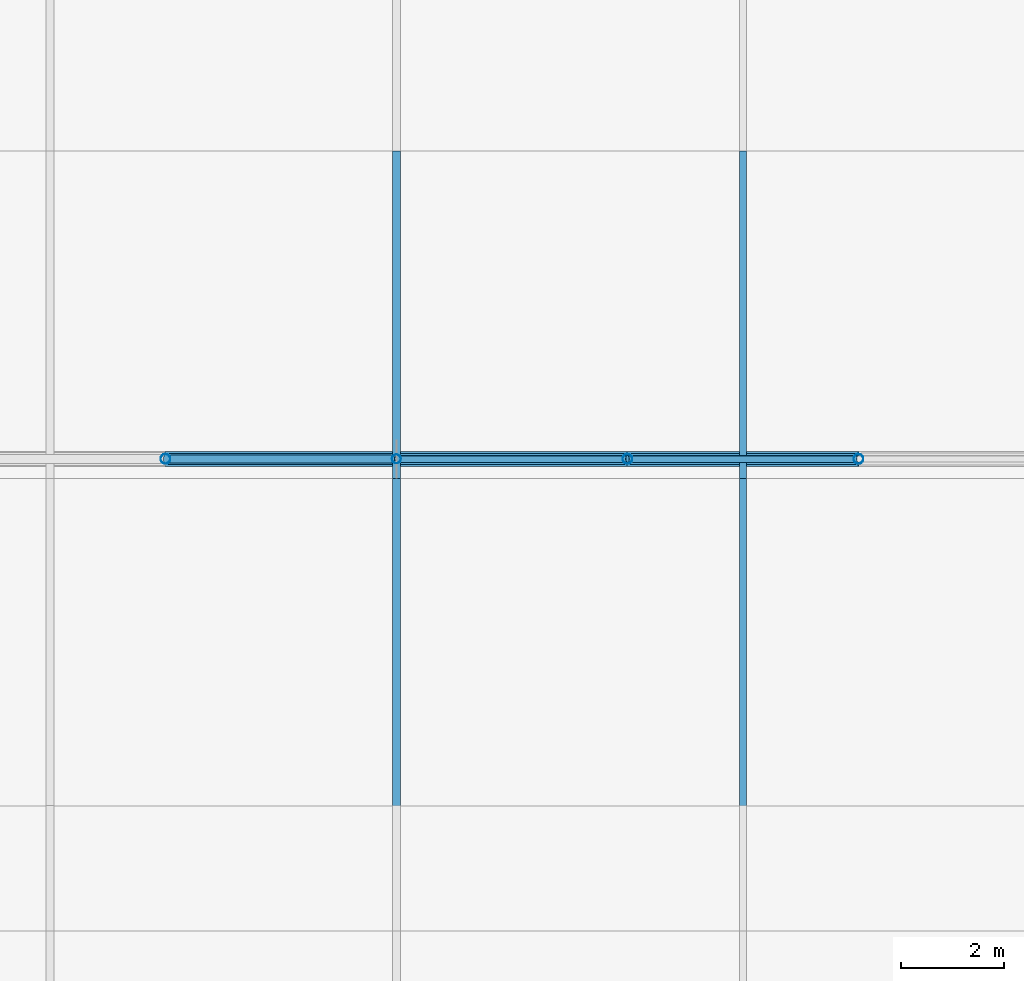
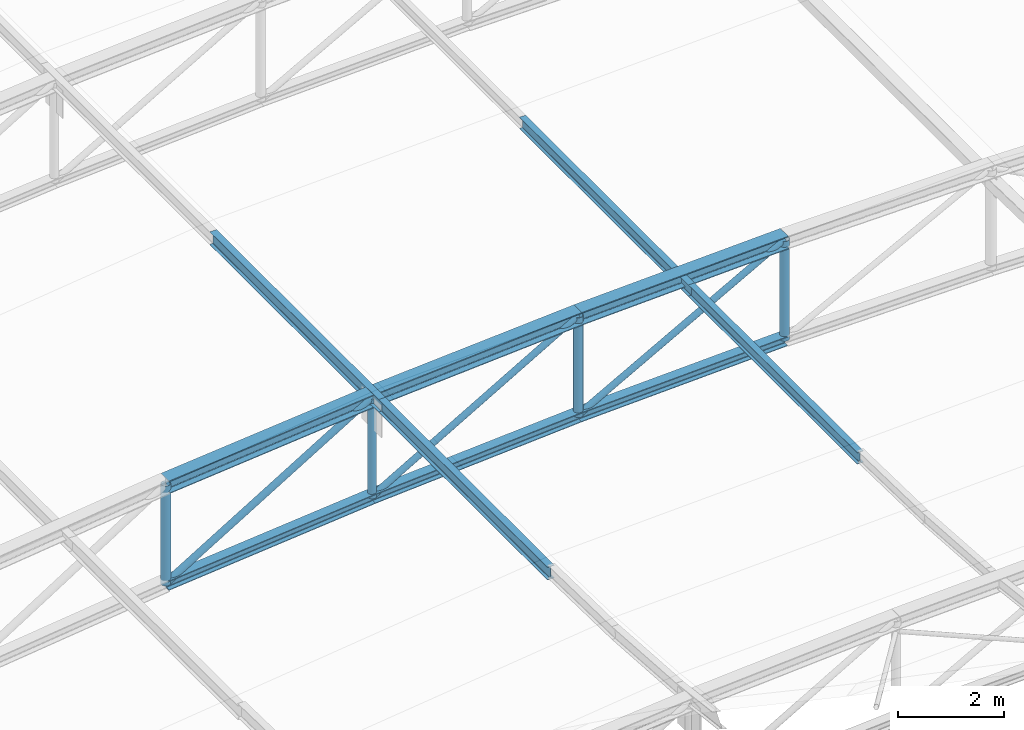
# One storey, part 88 of 262: 17 members.
"""IFC4 building model written with IfcOpenShell, lengths in metres."""

from ifc_helpers import new_model, si_unit, derived_unit, direction, frame, origin, origin_2d, place, context, subcontext, project, spatial, hollow_circle, i_section, extrude, material, material_profile, profile_set, type_object, element, save


model = new_model("IFC4")

# Units and contexts
model_context = context("Model", 3, precision=1e-05, world=origin(), true_north=direction((0.0, 1.0)))
body_context = subcontext(model_context, "Body", "Model", "MODEL_VIEW")
ifc_project = project(units=[si_unit("LENGTHUNIT", "METRE"), si_unit("AREAUNIT", "SQUARE_METRE"), si_unit("VOLUMEUNIT", "CUBIC_METRE"), si_unit("PLANEANGLEUNIT", "RADIAN"), si_unit("MASSUNIT", "GRAM", prefix="KILO"), derived_unit("THERMALTRANSMITTANCEUNIT", [(si_unit("POWERUNIT", "WATT"), 1), (si_unit("LENGTHUNIT", "METRE"), -2), (si_unit("THERMODYNAMICTEMPERATUREUNIT", "KELVIN"), -1)])], contexts=[model_context])

# Site, building, storey
site_placement = place(None, origin())
site = spatial("IfcSite", under=ifc_project, at=site_placement, CompositionType="ELEMENT")
building_placement = place(site_placement, origin())
building = spatial("IfcBuilding", under=site, at=building_placement, Name="Almenara Railside Exhibition Hall", CompositionType="ELEMENT")
storey_placement = place(building_placement, frame((0.0, 0.0, 21.699951171875)))
storey = spatial("IfcBuildingStorey", under=building, at=storey_placement, Name="RF", CompositionType="ELEMENT", Elevation=21.699951171875)

# Members
ifc_material = material(Name="Structural steel S355JR", Category="steel")
ifc_material_profile_1 = material_profile(ifc_material, i_section(OverallWidth=0.300048828125, OverallDepth=0.300048828125, WebThickness=0.010986328125, FlangeThickness=0.01904296875, FilletRadius=0.027099609375, at=origin_2d()), Name="HEB 300")
ifc_profile_set_1 = profile_set([ifc_material_profile_1], Name="Structural steel S355JR")
member_type_1 = type_object("IfcMemberType", Name="Arched Inner Top Chord HEB 300 S355JR", PredefinedType="CHORD", material=ifc_profile_set_1)
member_1_placement = place(storey_placement, frame((21.0, 84.0, 1.122314453125), z_axis=(0.995512933083, 0.0, 0.094625578275), x_axis=(0.0, 1.0, 0.0)))
element("IfcMember", 1, at=member_1_placement, inside=storey, type_object=member_type_1, Name="MEM-TC-V1-03-02", PredefinedType="CHORD", context=body_context, shape_type="SweptSolid", body=[
    extrude(i_section(OverallWidth=0.300048828125, OverallDepth=0.300048828125, WebThickness=0.010986328125, FlangeThickness=0.01904296875, FilletRadius=0.027099609375, at=origin_2d()), origin(), (0.0, 0.0, 1.0), 4.520263671875),
])
member_2_placement = place(storey_placement, frame((25.5, 84.0, 1.550048828125), z_axis=(0.997701025897, 0.0, 0.067769188608), x_axis=(0.0, 1.0, 0.0)))
element("IfcMember", 2, at=member_2_placement, inside=storey, type_object=member_type_1, Name="MEM-TC-V1-03-03", PredefinedType="CHORD", context=body_context, shape_type="SweptSolid", body=[
    extrude(i_section(OverallWidth=0.300048828125, OverallDepth=0.300048828125, WebThickness=0.010986328125, FlangeThickness=0.01904296875, FilletRadius=0.027099609375, at=origin_2d()), origin(), (0.0, 0.0, 1.0), 4.51025390625),
])
member_3_placement = place(storey_placement, frame((30.0, 84.0, 1.855712890625), z_axis=(0.999173184279, 0.0, 0.040656460949), x_axis=(0.0, 1.0, 0.0)))
element("IfcMember", 3, at=member_3_placement, inside=storey, type_object=member_type_1, Name="MEM-TC-V1-03-04", PredefinedType="CHORD", context=body_context, shape_type="SweptSolid", body=[
    extrude(i_section(OverallWidth=0.300048828125, OverallDepth=0.300048828125, WebThickness=0.010986328125, FlangeThickness=0.01904296875, FilletRadius=0.027099609375, at=origin_2d()), origin(), (0.0, 0.0, 1.0), 4.503662109375),
])
ifc_material_profile_2 = material_profile(ifc_material, i_section(OverallWidth=0.14990234375, OverallDepth=0.300048828125, WebThickness=0.007080078125, FlangeThickness=0.0107421875, FilletRadius=0.014892578125, at=origin_2d()), Name="IPE 300")
ifc_profile_set_2 = profile_set([ifc_material_profile_2], Name="Structural steel S355JR")
member_type_2 = type_object("IfcMemberType", Name="East Hall Ridge Purlin IPE 300 S355JR", PredefinedType="PURLIN", material=ifc_profile_set_2)
member_4_placement = place(storey_placement, frame((25.5, 77.240478515625, 1.5869140625), z_axis=(0.0, 1.0, 0.0), x_axis=(-1.0, 0.0, 0.0)))
element("IfcMember", 4, at=member_4_placement, inside=storey, type_object=member_type_2, Name="MEM-PR-V1-PR-IPE300-02-12", PredefinedType="PURLIN", context=body_context, shape_type="SweptSolid", body=[
    extrude(i_section(OverallWidth=0.14990234375, OverallDepth=0.300048828125, WebThickness=0.007080078125, FlangeThickness=0.0107421875, FilletRadius=0.014892578125, at=origin_2d()), origin(), (0.0, 0.0, 1.0), 6.379638671875),
])
member_5_placement = place(storey_placement, frame((25.5, 83.6201171875, 1.5869140625), z_axis=(0.0, 1.0, 0.0), x_axis=(-1.0, 0.0, 0.0)))
element("IfcMember", 5, at=member_5_placement, inside=storey, type_object=member_type_2, Name="MEM-PR-V1-PR-IPE300-02-13", PredefinedType="PURLIN", context=body_context, shape_type="SweptSolid", body=[
    extrude(i_section(OverallWidth=0.14990234375, OverallDepth=0.300048828125, WebThickness=0.007080078125, FlangeThickness=0.0107421875, FilletRadius=0.014892578125, at=origin_2d()), origin(), (0.0, 0.0, 1.0), 6.3798828125),
])
ifc_material_profile_3 = material_profile(ifc_material, i_section(OverallWidth=0.135009765625, OverallDepth=0.27001953125, WebThickness=0.006591796875, FlangeThickness=0.01025390625, FilletRadius=0.014892578125, at=origin_2d()), Name="IPE 270")
ifc_profile_set_3 = profile_set([ifc_material_profile_3], Name="Structural steel S355JR")
member_type_3 = type_object("IfcMemberType", Name="East Hall Standard Purlin IPE 270 S355JR", PredefinedType="PURLIN", material=ifc_profile_set_3)
member_6_placement = place(storey_placement, frame((32.25, 77.240478515625, 1.8798828125), z_axis=(0.0, 1.0, 0.0), x_axis=(-1.0, 0.0, 0.0)))
element("IfcMember", 6, at=member_6_placement, inside=storey, type_object=member_type_3, Name="MEM-PR-V1-PR-IPE270-03-12", PredefinedType="PURLIN", context=body_context, shape_type="SweptSolid", body=[
    extrude(i_section(OverallWidth=0.135009765625, OverallDepth=0.27001953125, WebThickness=0.006591796875, FlangeThickness=0.01025390625, FilletRadius=0.014892578125, at=origin_2d()), origin(), (0.0, 0.0, 1.0), 6.379638671875),
])
member_7_placement = place(storey_placement, frame((32.25, 83.6201171875, 1.8798828125), z_axis=(0.0, 1.0, 0.0), x_axis=(-1.0, 0.0, 0.0)))
element("IfcMember", 7, at=member_7_placement, inside=storey, type_object=member_type_3, Name="MEM-PR-V1-PR-IPE270-03-13", PredefinedType="PURLIN", context=body_context, shape_type="SweptSolid", body=[
    extrude(i_section(OverallWidth=0.135009765625, OverallDepth=0.27001953125, WebThickness=0.006591796875, FlangeThickness=0.01025390625, FilletRadius=0.014892578125, at=origin_2d()), origin(), (0.0, 0.0, 1.0), 6.3798828125),
])
ifc_material_profile_4 = material_profile(ifc_material, i_section(OverallWidth=0.219970703125, OverallDepth=0.219970703125, WebThickness=0.009521484375, FlangeThickness=0.01611328125, FilletRadius=0.01806640625, at=origin_2d()), Name="HEB 220")
ifc_profile_set_4 = profile_set([ifc_material_profile_4], Name="Structural steel S355JR")
member_type_4 = type_object("IfcMemberType", Name="Scroll Tie Chord HEB 220 S355JR", PredefinedType="CHORD", material=ifc_profile_set_4)
member_8_placement = place(storey_placement, frame((21.0, 84.0, -1.177734375), z_axis=(0.995512933083, 0.0, 0.094625578275), x_axis=(0.0, 1.0, 0.0)))
element("IfcMember", 8, at=member_8_placement, inside=storey, type_object=member_type_4, Name="MEM-BC-V1-03-02", PredefinedType="CHORD", context=body_context, shape_type="SweptSolid", body=[
    extrude(i_section(OverallWidth=0.219970703125, OverallDepth=0.219970703125, WebThickness=0.009521484375, FlangeThickness=0.01611328125, FilletRadius=0.01806640625, at=origin_2d()), origin(), (0.0, 0.0, 1.0), 4.520263671875),
])
member_9_placement = place(storey_placement, frame((25.5, 84.0, -0.75), z_axis=(0.997701025897, 0.0, 0.067769188608), x_axis=(0.0, 1.0, 0.0)))
element("IfcMember", 9, at=member_9_placement, inside=storey, type_object=member_type_4, Name="MEM-BC-V1-03-03", PredefinedType="CHORD", context=body_context, shape_type="SweptSolid", body=[
    extrude(i_section(OverallWidth=0.219970703125, OverallDepth=0.219970703125, WebThickness=0.009521484375, FlangeThickness=0.01611328125, FilletRadius=0.01806640625, at=origin_2d()), origin(), (0.0, 0.0, 1.0), 4.51025390625),
])
member_10_placement = place(storey_placement, frame((30.0, 84.0, -0.4443359375), z_axis=(0.99917098071, 0.0, 0.04071057978), x_axis=(0.0, 1.0, 0.0)))
element("IfcMember", 10, at=member_10_placement, inside=storey, type_object=member_type_4, Name="MEM-BC-V1-03-04", PredefinedType="CHORD", context=body_context, shape_type="SweptSolid", body=[
    extrude(i_section(OverallWidth=0.219970703125, OverallDepth=0.219970703125, WebThickness=0.009521484375, FlangeThickness=0.01611328125, FilletRadius=0.01806640625, at=origin_2d()), origin(), (0.0, 0.0, 1.0), 4.503662109375),
])
ifc_material_profile_5 = material_profile(ifc_material, hollow_circle(Radius=0.06982421875, WallThickness=0.0048828125, at=origin_2d()), Name="CHS 139.7x5")
ifc_profile_set_5 = profile_set([ifc_material_profile_5], Name="Structural steel S355JR")
member_type_5 = type_object("IfcMemberType", Name="Truss Inner Diagonal CHS 139.7x5 S355JR", PredefinedType="BRACE", material=ifc_profile_set_5)
member_11_placement = place(storey_placement, frame((25.5, 84.0, -0.75), z_axis=(0.865388781224, 0.0, 0.501101045031), x_axis=(0.0, 1.0, 0.0)))
element("IfcMember", 11, at=member_11_placement, inside=storey, type_object=member_type_5, Name="MEM-TD-V1-03-03", PredefinedType="BRACE", context=body_context, shape_type="SweptSolid", body=[
    extrude(hollow_circle(Radius=0.06982421875, WallThickness=0.0048828125, at=origin_2d()), origin(), (0.0, 0.0, 1.0), 5.199951171875),
])
member_12_placement = place(storey_placement, frame((30.0, 84.0, -0.4443359375), z_axis=(0.875545119572, 0.0, 0.483136361283), x_axis=(0.0, 1.0, 0.0)))
element("IfcMember", 12, at=member_12_placement, inside=storey, type_object=member_type_5, Name="MEM-TD-V1-03-04", PredefinedType="BRACE", context=body_context, shape_type="SweptSolid", body=[
    extrude(hollow_circle(Radius=0.06982421875, WallThickness=0.0048828125, at=origin_2d()), origin(), (0.0, 0.0, 1.0), 5.1396484375),
])
ifc_material_profile_6 = material_profile(ifc_material, hollow_circle(Radius=0.076171875, WallThickness=0.0048828125, at=origin_2d()), Name="CHS 152.4x5")
ifc_profile_set_6 = profile_set([ifc_material_profile_6], Name="Structural steel S355JR")
member_type_6 = type_object("IfcMemberType", Name="Truss Mid Diagonal CHS 152.4x5 S355JR", PredefinedType="BRACE", material=ifc_profile_set_6)
member_13_placement = place(storey_placement, frame((21.0, 84.0, -1.177734375), z_axis=(0.855154829777, 0.0, 0.518372662386), x_axis=(0.0, 1.0, 0.0)))
element("IfcMember", 13, at=member_13_placement, inside=storey, type_object=member_type_6, Name="MEM-TD-V1-03-02", PredefinedType="BRACE", context=body_context, shape_type="SweptSolid", body=[
    extrude(hollow_circle(Radius=0.076171875, WallThickness=0.0048828125, at=origin_2d()), origin(), (0.0, 0.0, 1.0), 5.26220703125),
])
ifc_material_profile_7 = material_profile(ifc_material, hollow_circle(Radius=0.0888671875, WallThickness=0.006103515625, at=origin_2d()), Name="CHS 177.8x6")
ifc_profile_set_7 = profile_set([ifc_material_profile_7], Name="Structural steel S355JR")
member_type_7 = type_object("IfcMemberType", Name="Truss Quarter Vertical Strut CHS 177.8x6 S355JR", PredefinedType="BRACE", material=ifc_profile_set_7)
member_14_placement = place(storey_placement, frame((25.5, 84.0, -0.75), z_axis=(0.0, 0.0, 1.0), x_axis=(1.0, 0.0, 0.0)))
element("IfcMember", 14, at=member_14_placement, inside=storey, type_object=member_type_7, Name="MEM-TV-V1-03-03", PredefinedType="BRACE", context=body_context, shape_type="SweptSolid", body=[
    extrude(hollow_circle(Radius=0.0888671875, WallThickness=0.006103515625, at=origin_2d()), origin(), (0.0, 0.0, 1.0), 2.300048828125),
])
ifc_material_profile_8 = material_profile(ifc_material, hollow_circle(Radius=0.096923828125, WallThickness=0.00634765625, at=origin_2d()), Name="CHS 193.7x6.3")
ifc_profile_set_8 = profile_set([ifc_material_profile_8], Name="Structural steel S355JR")
member_type_8 = type_object("IfcMemberType", Name="Truss Standard Vertical Strut CHS 193.7x6.3 S355JR", PredefinedType="BRACE", material=ifc_profile_set_8)
for number, where, z_axis, x_axis, name in (
    (15, (21.0, 84.0, -1.177734375), (0.0, 0.0, 1.0), (1.0, 0.0, 0.0), "MEM-TV-V1-03-02"),
    (16, (30.0, 84.0, -0.4443359375), (0.0, 0.0, 1.0), (1.0, 0.0, 0.0), "MEM-TV-V1-03-04"),
):
    element("IfcMember", number, at=place(storey_placement, frame(where, z_axis=z_axis, x_axis=x_axis)), inside=storey, type_object=member_type_8, Name=name, PredefinedType="BRACE", context=body_context, shape_type="SweptSolid", body=[
        extrude(hollow_circle(Radius=0.096923828125, WallThickness=0.00634765625, at=origin_2d()), origin(), (0.0, 0.0, 1.0), 2.300048828125),
    ])
member_15_placement = place(storey_placement, frame((34.5, 84.0, -0.260986328125), z_axis=(0.0, 0.0, 1.0), x_axis=(1.0, 0.0, 0.0)))
element("IfcMember", 17, at=member_15_placement, inside=storey, type_object=member_type_8, Name="MEM-TV-V1-03-05", PredefinedType="BRACE", context=body_context, shape_type="SweptSolid", body=[
    extrude(hollow_circle(Radius=0.096923828125, WallThickness=0.00634765625, at=origin_2d()), origin(), (0.0, 0.0, 1.0), 2.2998046875),
])

save(model, "model.ifc")
